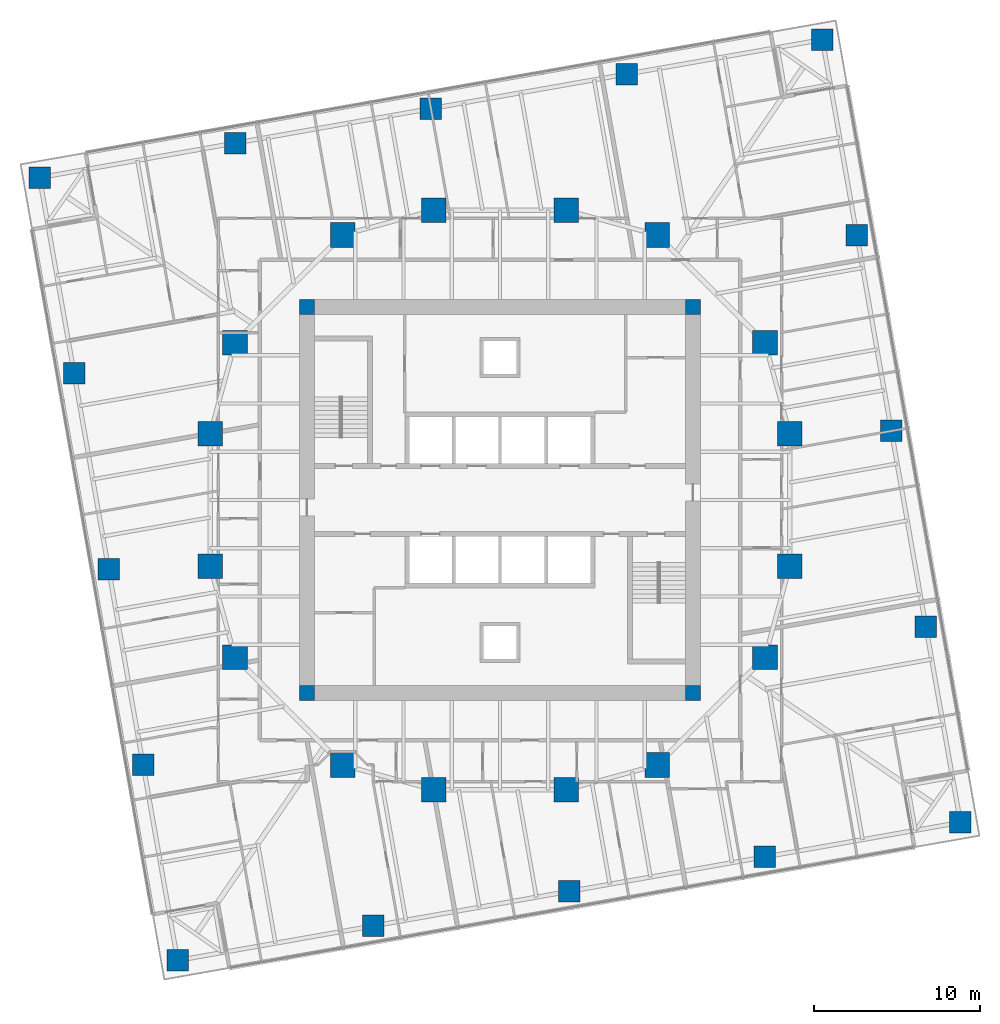
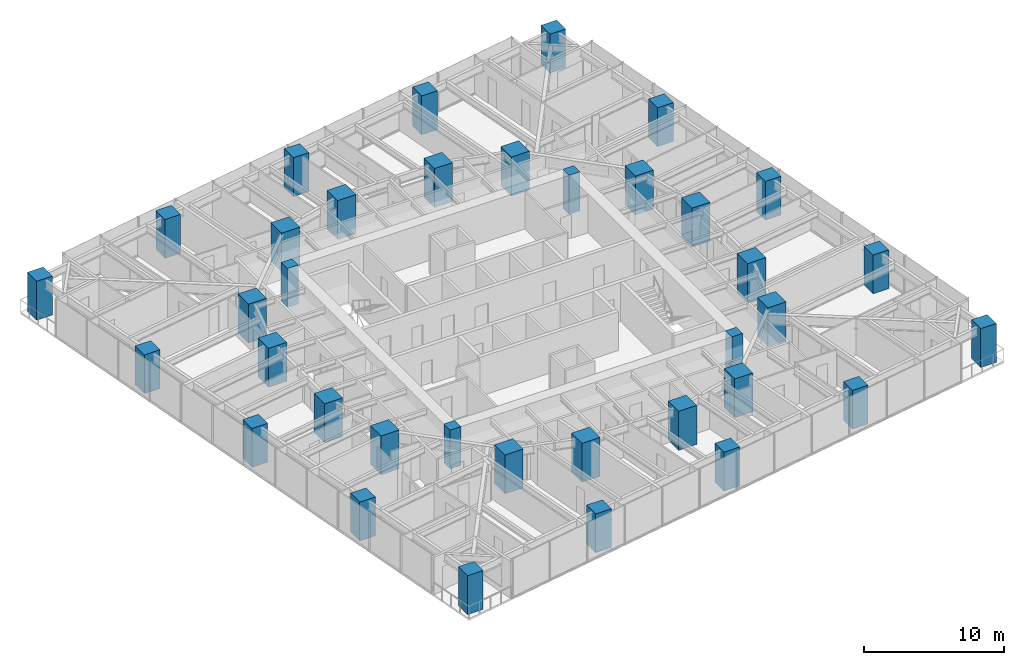
# One storey, part 1 of 14: 36 columns.
"""IFC4 building model written with IfcOpenShell, lengths in metres."""

from ifc_helpers import new_model, si_unit, direction, frame, origin, origin_2d, place, context, subcontext, project, spatial, rectangle, extrude, material, material_profile, profile_set, type_object, element, save


model = new_model("IFC4")

# Units and contexts
model_context = context("Model", 3, precision=1e-05, world=origin(), true_north=direction((0.0, 1.0)))
body_context = subcontext(model_context, "Body", "Model", "MODEL_VIEW")
ifc_project = project(units=[si_unit("LENGTHUNIT", "METRE"), si_unit("AREAUNIT", "SQUARE_METRE"), si_unit("VOLUMEUNIT", "CUBIC_METRE"), si_unit("PLANEANGLEUNIT", "RADIAN"), si_unit("MASSUNIT", "GRAM", prefix="KILO")], contexts=[model_context])

# Site, building, storey
site_placement = place(None, origin())
site = spatial("IfcSite", under=ifc_project, at=site_placement, CompositionType="ELEMENT")
building_placement = place(site_placement, origin())
building = spatial("IfcBuilding", under=site, at=building_placement, Name="Torsade Residences", CompositionType="ELEMENT")
storey_placement = place(building_placement, frame((0.0, 0.0, 82.800048828125)))
storey = spatial("IfcBuildingStorey", under=building, at=storey_placement, Name="L22", CompositionType="ELEMENT", Elevation=82.800048828125)

# Columns
ifc_material_1 = material(Name="Concrete 80 MPa", Category="concrete")
ifc_material_profile_1 = material_profile(ifc_material_1, rectangle(XDim=0.89990234375, YDim=0.89990234375, at=origin_2d()), Name="RC 900x900")
ifc_profile_set_1 = profile_set([ifc_material_profile_1], Name="Concrete 80 MPa")
column_type_1 = type_object("IfcColumnType", Name="CORE CORNER COLUMN RC 900x900", PredefinedType="COLUMN", material=ifc_profile_set_1)
for number, where, z_axis, x_axis, name in (
    (1, (28.35009765625, 18.35009765625, 0.0), (0.0, 0.0, 1.0), (1.0, 0.0, 0.0), "Core corner column CC1 L22"),
    (2, (51.64990234375, 18.35009765625, 0.0), (0.0, 0.0, 1.0), (1.0, 0.0, 0.0), "Core corner column CC2 L22"),
    (3, (51.64990234375, 41.64990234375, 0.0), (0.0, 0.0, 1.0), (1.0, 0.0, 0.0), "Core corner column CC3 L22"),
    (4, (28.35009765625, 41.64990234375, 0.0), (0.0, 0.0, 1.0), (1.0, 0.0, 0.0), "Core corner column CC4 L22"),
):
    element("IfcColumn", number, at=place(storey_placement, frame(where, z_axis=z_axis, x_axis=x_axis)), inside=storey, type_object=column_type_1, Name=name, PredefinedType="COLUMN", context=body_context, shape_type="SweptSolid", body=[
        extrude(rectangle(XDim=0.89990234375, YDim=0.89990234375, at=origin_2d()), origin(), (0.0, 0.0, 1.0), 3.39990234375),
    ])
ifc_material_2 = material(Name="Concrete 80 MPa", Category="concrete")
ifc_material_profile_2 = material_profile(ifc_material_2, rectangle(XDim=1.5, YDim=1.5, at=origin_2d()), Name="RC 1500x1500")
ifc_profile_set_2 = profile_set([ifc_material_profile_2], Name="Concrete 80 MPa")
column_type_2 = type_object("IfcColumnType", Name="INNER RING COLUMN RC 1500x1500", PredefinedType="COLUMN", material=ifc_profile_set_2)
for number, where, z_axis, x_axis, name in (
    (5, (57.5, 26.0, 0.0), (0.0, 0.0, 1.0), (1.0, 0.0, 0.0), "Inner ring column IR01 L22"),
    (6, (57.5, 34.0, 0.0), (0.0, 0.0, 1.0), (1.0, 0.0, 0.0), "Inner ring column IR02 L22"),
    (7, (56.0, 39.5, 0.0), (0.0, 0.0, 1.0), (1.0, 0.0, 0.0), "Inner ring column IR03 L22"),
    (8, (49.5, 46.0, 0.0), (0.0, 0.0, 1.0), (1.0, 0.0, 0.0), "Inner ring column IR04 L22"),
    (9, (44.0, 47.5, 0.0), (0.0, 0.0, 1.0), (1.0, 0.0, 0.0), "Inner ring column IR05 L22"),
    (10, (36.0, 47.5, 0.0), (0.0, 0.0, 1.0), (1.0, 0.0, 0.0), "Inner ring column IR06 L22"),
    (11, (30.5, 46.0, 0.0), (0.0, 0.0, 1.0), (1.0, 0.0, 0.0), "Inner ring column IR07 L22"),
    (12, (24.0, 39.5, 0.0), (0.0, 0.0, 1.0), (1.0, 0.0, 0.0), "Inner ring column IR08 L22"),
    (13, (22.5, 34.0, 0.0), (0.0, 0.0, 1.0), (1.0, 0.0, 0.0), "Inner ring column IR09 L22"),
    (14, (22.5, 26.0, 0.0), (0.0, 0.0, 1.0), (1.0, 0.0, 0.0), "Inner ring column IR10 L22"),
    (15, (24.0, 20.5, 0.0), (0.0, 0.0, 1.0), (1.0, 0.0, 0.0), "Inner ring column IR11 L22"),
    (16, (30.5, 14.0, 0.0), (0.0, 0.0, 1.0), (1.0, 0.0, 0.0), "Inner ring column IR12 L22"),
    (17, (36.0, 12.5, 0.0), (0.0, 0.0, 1.0), (1.0, 0.0, 0.0), "Inner ring column IR13 L22"),
    (18, (44.0, 12.5, 0.0), (0.0, 0.0, 1.0), (1.0, 0.0, 0.0), "Inner ring column IR14 L22"),
    (19, (49.5, 14.0, 0.0), (0.0, 0.0, 1.0), (1.0, 0.0, 0.0), "Inner ring column IR15 L22"),
    (20, (56.0, 20.5, 0.0), (0.0, 0.0, 1.0), (1.0, 0.0, 0.0), "Inner ring column IR16 L22"),
):
    element("IfcColumn", number, at=place(storey_placement, frame(where, z_axis=z_axis, x_axis=x_axis)), inside=storey, type_object=column_type_2, Name=name, PredefinedType="COLUMN", context=body_context, shape_type="SweptSolid", body=[
        extrude(rectangle(XDim=1.5, YDim=1.5, at=origin_2d()), origin(), (0.0, 0.0, 1.0), 3.39990234375),
    ])
ifc_material_3 = material(Name="Concrete 80 MPa", Category="concrete")
ifc_material_profile_3 = material_profile(ifc_material_3, rectangle(XDim=1.300048828125, YDim=1.300048828125, at=origin_2d()), Name="RC 1300x1300")
ifc_profile_set_3 = profile_set([ifc_material_profile_3], Name="Concrete 80 MPa")
column_type_3 = type_object("IfcColumnType", Name="TOWER COLUMN RC 1300x1300", PredefinedType="COLUMN", material=ifc_profile_set_3)
for number, where, z_axis, x_axis, name in (
    (21, (20.5322265625, 2.197021484375, 0.0), (0.0, 0.0, 1.0), (1.0, 0.0, 0.0), "Column TC3-01 L22"),
    (22, (32.349853515625, 4.28076171875, 0.0), (0.0, 0.0, 1.0), (1.0, 0.0, 0.0), "Column TC3-02 L22"),
    (23, (44.16748046875, 6.364501953125, 0.0), (0.0, 0.0, 1.0), (1.0, 0.0, 0.0), "Column TC3-03 L22"),
    (24, (55.9853515625, 8.448486328125, 0.0), (0.0, 0.0, 1.0), (1.0, 0.0, 0.0), "Column TC3-04 L22"),
    (25, (67.802978515625, 10.5322265625, 0.0), (0.0, 0.0, 1.0), (1.0, 0.0, 0.0), "Column TC3-05 L22"),
    (26, (65.71923828125, 22.349853515625, 0.0), (0.0, 0.0, 1.0), (1.0, 0.0, 0.0), "Column TC3-06 L22"),
    (27, (63.635498046875, 34.16748046875, 0.0), (0.0, 0.0, 1.0), (1.0, 0.0, 0.0), "Column TC3-07 L22"),
    (28, (61.551513671875, 45.9853515625, 0.0), (0.0, 0.0, 1.0), (1.0, 0.0, 0.0), "Column TC3-08 L22"),
    (29, (59.4677734375, 57.802978515625, 0.0), (0.0, 0.0, 1.0), (1.0, 0.0, 0.0), "Column TC3-09 L22"),
    (30, (47.650146484375, 55.71923828125, 0.0), (0.0, 0.0, 1.0), (1.0, 0.0, 0.0), "Column TC3-10 L22"),
    (31, (35.83251953125, 53.635498046875, 0.0), (0.0, 0.0, 1.0), (1.0, 0.0, 0.0), "Column TC3-11 L22"),
    (32, (24.0146484375, 51.551513671875, 0.0), (0.0, 0.0, 1.0), (1.0, 0.0, 0.0), "Column TC3-12 L22"),
    (33, (12.197021484375, 49.4677734375, 0.0), (0.0, 0.0, 1.0), (1.0, 0.0, 0.0), "Column TC3-13 L22"),
    (34, (14.28076171875, 37.650146484375, 0.0), (0.0, 0.0, 1.0), (1.0, 0.0, 0.0), "Column TC3-14 L22"),
    (35, (16.364501953125, 25.83251953125, 0.0), (0.0, 0.0, 1.0), (1.0, 0.0, 0.0), "Column TC3-15 L22"),
    (36, (18.448486328125, 14.0146484375, 0.0), (0.0, 0.0, 1.0), (1.0, 0.0, 0.0), "Column TC3-16 L22"),
):
    element("IfcColumn", number, at=place(storey_placement, frame(where, z_axis=z_axis, x_axis=x_axis)), inside=storey, type_object=column_type_3, Name=name, PredefinedType="COLUMN", context=body_context, shape_type="SweptSolid", body=[
        extrude(rectangle(XDim=1.300048828125, YDim=1.300048828125, at=origin_2d()), origin(), (0.0, 0.0, 1.0), 3.39990234375),
    ])

save(model, "model.ifc")
